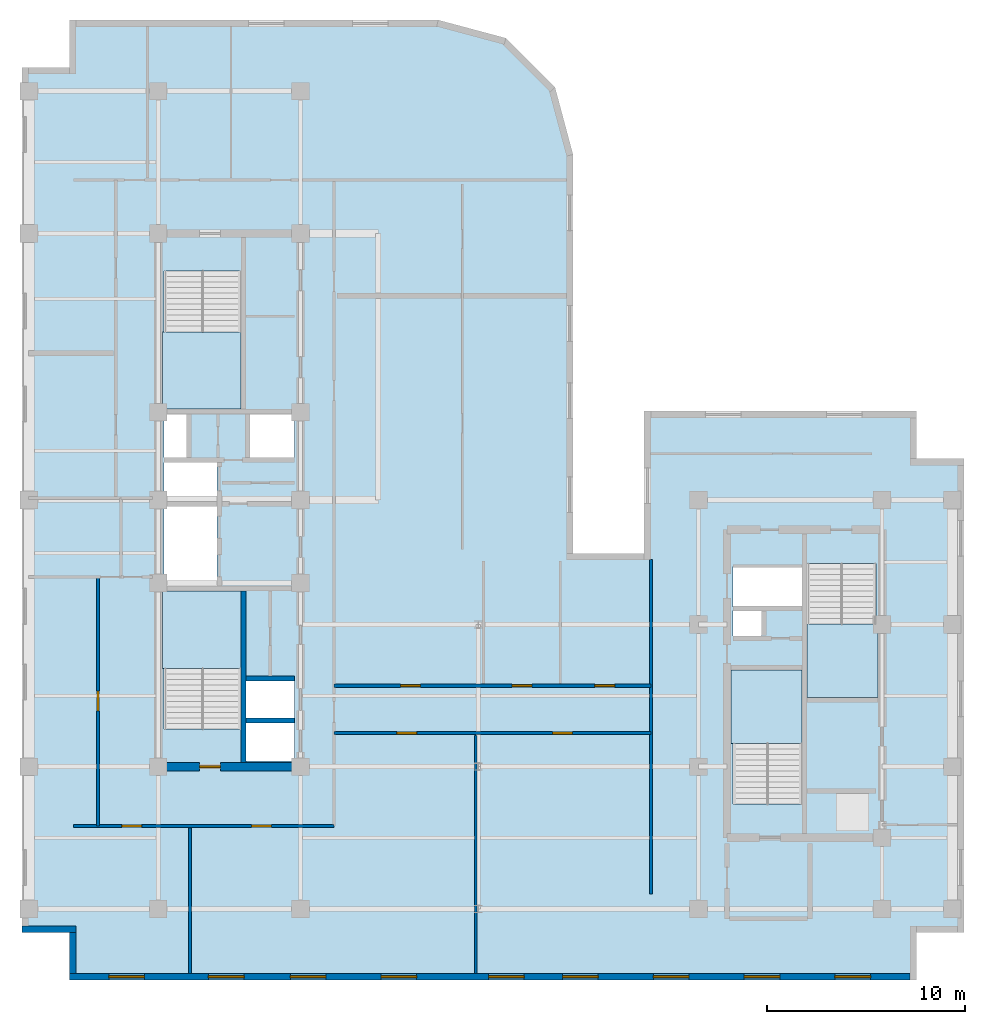
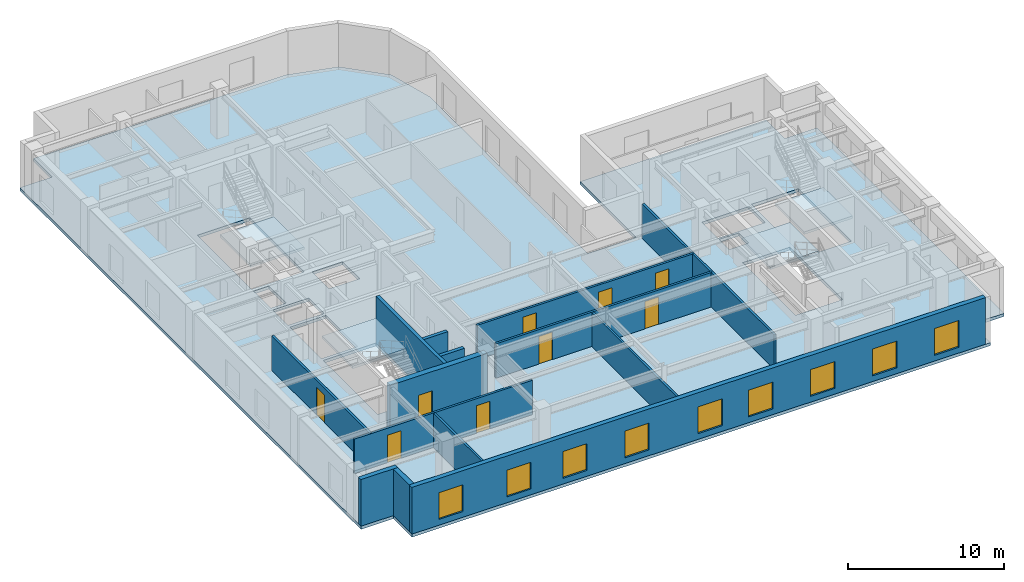
# One storey, part 3 of 11: 14 walls, 9 doors, 9 windows, 5 slabs, 18 openings, 4 elements without a shape of their own.
"""IFC4 building model written with IfcOpenShell, lengths in metres."""

from ifc_helpers import new_model, entity, si_unit, converted_unit, direction, frame, origin_with_axes, origin_2d_with_axis, place, context, subcontext, project, spatial, polyline, rectangle, outline, extrude, material, layer, layer_set, type_object, element, fill, aggregate, save


model = new_model("IFC4")

# Units and contexts
model_context = context("Model", 3, precision=1e-05, world=origin_with_axes(), true_north=direction((0.0, 1.0)))
body_context = subcontext(model_context, "Body", "Model", "MODEL_VIEW")
ifc_project = project(units=[si_unit("LENGTHUNIT", "METRE"), si_unit("AREAUNIT", "SQUARE_METRE"), si_unit("VOLUMEUNIT", "CUBIC_METRE"), converted_unit("PLANEANGLEUNIT", "DEGREE", entity("IfcPlaneAngleMeasure", 0.017453292519943295), si_unit("PLANEANGLEUNIT", "RADIAN"), dimensions=[0, 0, 0, 0, 0, 0, 0]), si_unit("MASSUNIT", "GRAM", prefix="KILO"), si_unit("THERMODYNAMICTEMPERATUREUNIT", "KELVIN")], contexts=[model_context])

# Site, building, storey
site_placement = place(None, origin_with_axes())
site = spatial("IfcSite", under=ifc_project, at=site_placement, CompositionType="ELEMENT")
building_placement = place(site_placement, origin_with_axes())
building = spatial("IfcBuilding", under=site, at=building_placement, Name="Varnlund Millrace Tower", CompositionType="ELEMENT")
storey_placement = place(building_placement, frame((0.0, 0.0, 224.7), z_axis=(0.0, 0.0, 1.0), x_axis=(1.0, 0.0, 0.0)))
storey = spatial("IfcBuildingStorey", under=building, at=storey_placement, Name="L55", CompositionType="ELEMENT", Elevation=224.7)

# Slab
ifc_material_1 = material(Name="Concrete C60/75", Category="concrete")
ifc_layer_1 = layer(ifc_material_1, 0.24, Name="Concrete C60/75")
ifc_layer_set_1 = layer_set([ifc_layer_1], Name="Concrete C60/75")
slab_type_1 = type_object("IfcSlabType", Name="Type-Deck-Plate-Typical-240", PredefinedType="FLOOR", material=ifc_layer_set_1)
slab_1_placement = place(storey_placement, frame((0.0, 0.0, -0.24), z_axis=(0.0, 0.0, 1.0), x_axis=(1.0, 0.0, 0.0)))
element("IfcSlab", 1, at=slab_1_placement, inside=storey, type_object=slab_type_1, Name="Type-Deck-Plate-Typical-240", PredefinedType="FLOOR", context=body_context, shape_type="SweptSolid", body=[
    extrude(outline(polyline([(32.4, 21.6), (32.4, 41.8), (31.489, 45.2), (29.0, 47.689), (25.6, 48.6), (6.9, 48.6), (6.9, 46.2), (4.5, 46.2), (4.5, 2.4), (6.9, 2.4), (6.9, 0.0), (49.8, 0.0), (49.8, 2.4), (52.2, 2.4), (52.2, 26.4), (49.8, 26.4), (49.8, 28.8), (36.0, 28.8), (36.0, 21.6), (32.4, 21.6)]), holes=[polyline([(18.3, 13.1), (18.3, 11.1), (15.84, 11.1), (15.84, 13.1), (18.3, 13.1)]), polyline([(15.6, 12.715), (11.7, 12.715), (11.7, 19.7), (15.6, 19.7), (15.6, 12.715)]), polyline([(11.7, 19.94), (11.7, 23.98), (14.38, 23.98), (14.38, 19.94), (11.7, 19.94)]), polyline([(14.38, 24.24), (11.7, 24.24), (11.7, 26.2), (14.38, 26.2), (14.38, 24.24)]), polyline([(12.84, 26.46), (11.7, 26.46), (11.7, 28.65), (12.84, 28.65), (12.84, 26.46)]), polyline([(15.6, 35.885), (15.6, 28.9), (11.7, 28.9), (11.7, 35.885), (15.6, 35.885)]), polyline([(44.0, 8.915), (40.5, 8.915), (40.5, 15.7), (44.0, 15.7), (44.0, 8.915)]), polyline([(18.3, 13.16), (15.84, 13.16), (15.84, 15.24), (18.3, 15.24), (18.3, 13.16)]), polyline([(47.75, 14.3), (44.25, 14.3), (44.25, 21.085), (47.75, 21.085), (47.75, 14.3)]), polyline([(41.95, 17.42), (40.5, 17.42), (40.5, 18.72), (41.95, 18.72), (41.95, 17.42)]), polyline([(44.0, 18.88), (40.5, 18.88), (40.5, 20.94), (44.0, 20.94), (44.0, 18.88)]), polyline([(18.3, 26.46), (16.04, 26.46), (16.04, 28.65), (18.3, 28.65), (18.3, 26.46)])]), origin_with_axes(), (0.0, 0.0, 1.0), 0.24),
])

# Stair, slab
ifc_material_2 = material(Name="Concrete C50/60", Category="concrete")
stair_type_1 = type_object("IfcStairType", Name="Type-Stair-Dogleg-185-390", PredefinedType="HALF_TURN_STAIR", material=ifc_material_2)
stair_1_placement = place(storey_placement, origin_with_axes())
stair_1 = element("IfcStair", 2, at=stair_1_placement, inside=storey, type_object=stair_type_1, Name="Type-Stair-Dogleg-185-390", PredefinedType="HALF_TURN_STAIR")
ifc_layer_2 = layer(ifc_material_2, 0.2, Name="Concrete C50/60")
ifc_layer_set_2 = layer_set([ifc_layer_2], Name="Concrete C50/60")
slab_type_2 = type_object("IfcSlabType", Name="Type-StairLanding-200", PredefinedType="LANDING", material=ifc_layer_set_2)
slab_2_placement = place(storey_placement, frame((0.0, 0.0, 1.75), z_axis=(0.0, 0.0, 1.0), x_axis=(1.0, 0.0, 0.0)))
slab_2 = element("IfcSlab", 3, at=slab_2_placement, type_object=slab_type_2, Name="ST-A1 landing 1", PredefinedType="LANDING", context=body_context, shape_type="SweptSolid", body=[
    extrude(outline(polyline([(15.6, 15.78), (15.6, 19.7), (11.61, 19.7), (11.61, 15.78), (15.6, 15.78)])), origin_with_axes(), (0.0, 0.0, 1.0), 0.2),
])
aggregate(stair_1, [slab_2])

stair_2_placement = place(storey_placement, origin_with_axes())
stair_2 = element("IfcStair", 4, at=stair_2_placement, inside=storey, type_object=stair_type_1, Name="Type-Stair-Dogleg-185-390", PredefinedType="HALF_TURN_STAIR")
slab_3_placement = place(storey_placement, frame((0.0, 0.0, 1.75), z_axis=(0.0, 0.0, 1.0), x_axis=(1.0, 0.0, 0.0)))
slab_3 = element("IfcSlab", 5, at=slab_3_placement, type_object=slab_type_2, Name="ST-A2 landing 1", PredefinedType="LANDING", context=body_context, shape_type="SweptSolid", body=[
    extrude(outline(polyline([(11.61, 32.82), (11.61, 28.9), (15.6, 28.9), (15.6, 32.82), (11.61, 32.82)])), origin_with_axes(), (0.0, 0.0, 1.0), 0.2),
])
aggregate(stair_2, [slab_3])

stair_type_2 = type_object("IfcStairType", Name="Type-Stair-Dogleg-165-390", PredefinedType="HALF_TURN_STAIR", material=ifc_material_2)
stair_3_placement = place(storey_placement, origin_with_axes())
stair_3 = element("IfcStair", 6, at=stair_3_placement, inside=storey, type_object=stair_type_2, Name="Type-Stair-Dogleg-165-390", PredefinedType="HALF_TURN_STAIR")
slab_4_placement = place(storey_placement, frame((0.0, 0.0, 1.75), z_axis=(0.0, 0.0, 1.0), x_axis=(1.0, 0.0, 0.0)))
slab_4 = element("IfcSlab", 7, at=slab_4_placement, type_object=slab_type_2, Name="ST-B1 landing 1", PredefinedType="LANDING", context=body_context, shape_type="SweptSolid", body=[
    extrude(outline(polyline([(44.0, 11.98), (44.0, 15.7), (40.41, 15.7), (40.41, 11.98), (44.0, 11.98)])), origin_with_axes(), (0.0, 0.0, 1.0), 0.2),
])
aggregate(stair_3, [slab_4])

stair_4_placement = place(storey_placement, origin_with_axes())
stair_4 = element("IfcStair", 8, at=stair_4_placement, inside=storey, type_object=stair_type_2, Name="Type-Stair-Dogleg-165-390", PredefinedType="HALF_TURN_STAIR")
slab_5_placement = place(storey_placement, frame((0.0, 0.0, 1.75), z_axis=(0.0, 0.0, 1.0), x_axis=(1.0, 0.0, 0.0)))
slab_5 = element("IfcSlab", 9, at=slab_5_placement, type_object=slab_type_2, Name="ST-B2 landing 1", PredefinedType="LANDING", context=body_context, shape_type="SweptSolid", body=[
    extrude(outline(polyline([(44.25, 18.02), (44.25, 14.3), (47.84, 14.3), (47.84, 18.02), (44.25, 18.02)])), origin_with_axes(), (0.0, 0.0, 1.0), 0.2),
])
aggregate(stair_4, [slab_5])

# Wall, opening, door
ifc_layer_3 = layer(ifc_material_1, 0.42, Name="Concrete C60/75")
ifc_layer_set_3 = layer_set([ifc_layer_3], Name="Concrete C60/75")
wall_type_1 = type_object("IfcWallType", Name="Type-CoreWall-Shear-420-C60", PredefinedType="SHEAR", material=ifc_layer_set_3)
wall_1_placement = place(storey_placement, frame((11.4, 10.8, 0.0), z_axis=(0.0, 0.0, 1.0), x_axis=(1.0, 0.0, 0.0)))
wall_1 = element("IfcWall", 10, at=wall_1_placement, inside=storey, type_object=wall_type_1, Name="Type-CoreWall-Shear-420-C60", PredefinedType="SHEAR", context=body_context, shape_type="SweptSolid", body=[
    extrude(outline(polyline([(0.0, -0.21), (7.2, -0.21), (7.2, 0.21), (0.0, 0.21), (0.0, -0.21)])), origin_with_axes(), (0.0, 0.0, 1.0), 3.66),
])
opening_1_placement = place(wall_1_placement, frame((2.625, 0.0, 0.0), z_axis=(0.0, 0.0, 1.0), x_axis=(1.0, 0.0, 0.0)))
opening_1 = element("IfcOpeningElement", 11, at=opening_1_placement, cuts=wall_1, Name="Opening L55:DR-STA1", PredefinedType="OPENING", context=body_context, shape_type="SweptSolid", body=[
    extrude(rectangle(XDim=1.05, YDim=0.44, at=origin_2d_with_axis()), origin_with_axes(), (0.0, 0.0, 1.0), 2.15),
])
ifc_material_3 = material(Name="Fire-rated hollow steel door", Category="steel")
door_type_1 = type_object("IfcDoorType", Name="Type-FireDoor-Stair-1050X2150", OperationType="NOTDEFINED", PredefinedType="DOOR", material=ifc_material_3)
door_1_placement = place(wall_1_placement, frame((2.625, 0.0, 0.0), z_axis=(0.0, 0.0, 1.0), x_axis=(1.0, 0.0, 0.0)))
door_1 = element("IfcDoor", 12, at=door_1_placement, inside=storey, type_object=door_type_1, Name="Type-FireDoor-Stair-1050X2150", OperationType="SINGLE_SWING_LEFT", OverallHeight=2.15, OverallWidth=1.05, PredefinedType="DOOR", context=body_context, shape_type="SweptSolid", body=[
    extrude(rectangle(XDim=1.05, YDim=0.09, at=origin_2d_with_axis()), origin_with_axes(), (0.0, 0.0, 1.0), 2.15),
])
fill(opening_1, door_1)

# Wall, openings, windows
ifc_material_4 = material(Name="Precast concrete C50/60", Category="concrete")
ifc_layer_4 = layer(ifc_material_4, 0.34, Name="Precast concrete C50/60")
ifc_layer_set_4 = layer_set([ifc_layer_4], Name="Precast concrete C50/60")
wall_type_2 = type_object("IfcWallType", Name="Type-ExtWall-Precast-Upper-340", PredefinedType="SOLIDWALL", material=ifc_layer_set_4)
wall_2_placement = place(storey_placement, frame((49.46, 0.17, 0.0), z_axis=(0.0, 0.0, 1.0), x_axis=(-1.0, 0.0, 0.0)))
wall_2 = element("IfcWall", 13, at=wall_2_placement, inside=storey, type_object=wall_type_2, Name="Type-ExtWall-Precast-Upper-340", PredefinedType="SOLIDWALL", context=body_context, shape_type="SweptSolid", body=[
    extrude(outline(polyline([(0.0, -0.17), (42.56, -0.17), (42.56, 0.17), (0.0, 0.17), (0.0, -0.17)])), origin_with_axes(), (0.0, 0.0, 1.0), 3.66),
])
opening_2_placement = place(wall_2_placement, frame((2.898, 0.0, 0.45), z_axis=(0.0, 0.0, 1.0), x_axis=(1.0, 0.0, 0.0)))
opening_2 = element("IfcOpeningElement", 14, at=opening_2_placement, cuts=wall_2, Name="Opening L55:WN-07", PredefinedType="OPENING", context=body_context, shape_type="SweptSolid", body=[
    extrude(rectangle(XDim=1.8, YDim=0.36, at=origin_2d_with_axis()), origin_with_axes(), (0.0, 0.0, 1.0), 2.1),
])
opening_3_placement = place(wall_2_placement, frame((7.493, 0.0, 0.45), z_axis=(0.0, 0.0, 1.0), x_axis=(1.0, 0.0, 0.0)))
opening_3 = element("IfcOpeningElement", 15, at=opening_3_placement, cuts=wall_2, Name="Opening L55:WN-08", PredefinedType="OPENING", context=body_context, shape_type="SweptSolid", body=[
    extrude(rectangle(XDim=1.8, YDim=0.36, at=origin_2d_with_axis()), origin_with_axes(), (0.0, 0.0, 1.0), 2.1),
])
opening_4_placement = place(wall_2_placement, frame((12.089, 0.0, 0.45), z_axis=(0.0, 0.0, 1.0), x_axis=(1.0, 0.0, 0.0)))
opening_4 = element("IfcOpeningElement", 16, at=opening_4_placement, cuts=wall_2, Name="Opening L55:WN-09", PredefinedType="OPENING", context=body_context, shape_type="SweptSolid", body=[
    extrude(rectangle(XDim=1.8, YDim=0.36, at=origin_2d_with_axis()), origin_with_axes(), (0.0, 0.0, 1.0), 2.1),
])
opening_5_placement = place(wall_2_placement, frame((16.684, 0.0, 0.45), z_axis=(0.0, 0.0, 1.0), x_axis=(1.0, 0.0, 0.0)))
opening_5 = element("IfcOpeningElement", 17, at=opening_5_placement, cuts=wall_2, Name="Opening L55:WN-10", PredefinedType="OPENING", context=body_context, shape_type="SweptSolid", body=[
    extrude(rectangle(XDim=1.8, YDim=0.36, at=origin_2d_with_axis()), origin_with_axes(), (0.0, 0.0, 1.0), 2.1),
])
opening_6_placement = place(wall_2_placement, frame((20.43, 0.0, 0.45), z_axis=(0.0, 0.0, 1.0), x_axis=(1.0, 0.0, 0.0)))
opening_6 = element("IfcOpeningElement", 18, at=opening_6_placement, cuts=wall_2, Name="Opening L55:WN-11", PredefinedType="OPENING", context=body_context, shape_type="SweptSolid", body=[
    extrude(rectangle(XDim=1.8, YDim=0.36, at=origin_2d_with_axis()), origin_with_axes(), (0.0, 0.0, 1.0), 2.1),
])
opening_7_placement = place(wall_2_placement, frame((25.876, 0.0, 0.45), z_axis=(0.0, 0.0, 1.0), x_axis=(1.0, 0.0, 0.0)))
opening_7 = element("IfcOpeningElement", 19, at=opening_7_placement, cuts=wall_2, Name="Opening L55:WN-12", PredefinedType="OPENING", context=body_context, shape_type="SweptSolid", body=[
    extrude(rectangle(XDim=1.8, YDim=0.36, at=origin_2d_with_axis()), origin_with_axes(), (0.0, 0.0, 1.0), 2.1),
])
opening_8_placement = place(wall_2_placement, frame((30.471, 0.0, 0.45), z_axis=(0.0, 0.0, 1.0), x_axis=(1.0, 0.0, 0.0)))
opening_8 = element("IfcOpeningElement", 20, at=opening_8_placement, cuts=wall_2, Name="Opening L55:WN-13", PredefinedType="OPENING", context=body_context, shape_type="SweptSolid", body=[
    extrude(rectangle(XDim=1.8, YDim=0.36, at=origin_2d_with_axis()), origin_with_axes(), (0.0, 0.0, 1.0), 2.1),
])
opening_9_placement = place(wall_2_placement, frame((34.617, 0.0, 0.45), z_axis=(0.0, 0.0, 1.0), x_axis=(1.0, 0.0, 0.0)))
opening_9 = element("IfcOpeningElement", 21, at=opening_9_placement, cuts=wall_2, Name="Opening L55:WN-14", PredefinedType="OPENING", context=body_context, shape_type="SweptSolid", body=[
    extrude(rectangle(XDim=1.8, YDim=0.36, at=origin_2d_with_axis()), origin_with_axes(), (0.0, 0.0, 1.0), 2.1),
])
opening_10_placement = place(wall_2_placement, frame((39.662, 0.0, 0.45), z_axis=(0.0, 0.0, 1.0), x_axis=(1.0, 0.0, 0.0)))
opening_10 = element("IfcOpeningElement", 22, at=opening_10_placement, cuts=wall_2, Name="Opening L55:WN-15", PredefinedType="OPENING", context=body_context, shape_type="SweptSolid", body=[
    extrude(rectangle(XDim=1.8, YDim=0.36, at=origin_2d_with_axis()), origin_with_axes(), (0.0, 0.0, 1.0), 2.1),
])
ifc_material_5 = material(Name="Argon low-e triple glazing in thermally broken bronze frame", Category="glass")
window_type = type_object("IfcWindowType", Name="Type-Window-Punched-1800X2100", PartitioningType="SINGLE_PANEL", PredefinedType="WINDOW", material=ifc_material_5)
window_1_placement = place(wall_2_placement, frame((2.898, 0.0, 0.45), z_axis=(0.0, 0.0, 1.0), x_axis=(1.0, 0.0, 0.0)))
window_1 = element("IfcWindow", 23, at=window_1_placement, inside=storey, type_object=window_type, Name="Type-Window-Punched-1800X2100", OverallHeight=2.1, OverallWidth=1.8, PredefinedType="WINDOW", context=body_context, shape_type="SweptSolid", body=[
    extrude(rectangle(XDim=1.8, YDim=0.09, at=origin_2d_with_axis()), origin_with_axes(), (0.0, 0.0, 1.0), 2.1),
])
fill(opening_2, window_1)
window_2_placement = place(wall_2_placement, frame((7.493, 0.0, 0.45), z_axis=(0.0, 0.0, 1.0), x_axis=(1.0, 0.0, 0.0)))
window_2 = element("IfcWindow", 24, at=window_2_placement, inside=storey, type_object=window_type, Name="Type-Window-Punched-1800X2100", OverallHeight=2.1, OverallWidth=1.8, PredefinedType="WINDOW", context=body_context, shape_type="SweptSolid", body=[
    extrude(rectangle(XDim=1.8, YDim=0.09, at=origin_2d_with_axis()), origin_with_axes(), (0.0, 0.0, 1.0), 2.1),
])
fill(opening_3, window_2)
window_3_placement = place(wall_2_placement, frame((12.089, 0.0, 0.45), z_axis=(0.0, 0.0, 1.0), x_axis=(1.0, 0.0, 0.0)))
window_3 = element("IfcWindow", 25, at=window_3_placement, inside=storey, type_object=window_type, Name="Type-Window-Punched-1800X2100", OverallHeight=2.1, OverallWidth=1.8, PredefinedType="WINDOW", context=body_context, shape_type="SweptSolid", body=[
    extrude(rectangle(XDim=1.8, YDim=0.09, at=origin_2d_with_axis()), origin_with_axes(), (0.0, 0.0, 1.0), 2.1),
])
fill(opening_4, window_3)
window_4_placement = place(wall_2_placement, frame((16.684, 0.0, 0.45), z_axis=(0.0, 0.0, 1.0), x_axis=(1.0, 0.0, 0.0)))
window_4 = element("IfcWindow", 26, at=window_4_placement, inside=storey, type_object=window_type, Name="Type-Window-Punched-1800X2100", OverallHeight=2.1, OverallWidth=1.8, PredefinedType="WINDOW", context=body_context, shape_type="SweptSolid", body=[
    extrude(rectangle(XDim=1.8, YDim=0.09, at=origin_2d_with_axis()), origin_with_axes(), (0.0, 0.0, 1.0), 2.1),
])
fill(opening_5, window_4)
window_5_placement = place(wall_2_placement, frame((20.43, 0.0, 0.45), z_axis=(0.0, 0.0, 1.0), x_axis=(1.0, 0.0, 0.0)))
window_5 = element("IfcWindow", 27, at=window_5_placement, inside=storey, type_object=window_type, Name="Type-Window-Punched-1800X2100", OverallHeight=2.1, OverallWidth=1.8, PredefinedType="WINDOW", context=body_context, shape_type="SweptSolid", body=[
    extrude(rectangle(XDim=1.8, YDim=0.09, at=origin_2d_with_axis()), origin_with_axes(), (0.0, 0.0, 1.0), 2.1),
])
fill(opening_6, window_5)
window_6_placement = place(wall_2_placement, frame((25.876, 0.0, 0.45), z_axis=(0.0, 0.0, 1.0), x_axis=(1.0, 0.0, 0.0)))
window_6 = element("IfcWindow", 28, at=window_6_placement, inside=storey, type_object=window_type, Name="Type-Window-Punched-1800X2100", OverallHeight=2.1, OverallWidth=1.8, PredefinedType="WINDOW", context=body_context, shape_type="SweptSolid", body=[
    extrude(rectangle(XDim=1.8, YDim=0.09, at=origin_2d_with_axis()), origin_with_axes(), (0.0, 0.0, 1.0), 2.1),
])
fill(opening_7, window_6)
window_7_placement = place(wall_2_placement, frame((30.471, 0.0, 0.45), z_axis=(0.0, 0.0, 1.0), x_axis=(1.0, 0.0, 0.0)))
window_7 = element("IfcWindow", 29, at=window_7_placement, inside=storey, type_object=window_type, Name="Type-Window-Punched-1800X2100", OverallHeight=2.1, OverallWidth=1.8, PredefinedType="WINDOW", context=body_context, shape_type="SweptSolid", body=[
    extrude(rectangle(XDim=1.8, YDim=0.09, at=origin_2d_with_axis()), origin_with_axes(), (0.0, 0.0, 1.0), 2.1),
])
fill(opening_8, window_7)
window_8_placement = place(wall_2_placement, frame((34.617, 0.0, 0.45), z_axis=(0.0, 0.0, 1.0), x_axis=(1.0, 0.0, 0.0)))
window_8 = element("IfcWindow", 30, at=window_8_placement, inside=storey, type_object=window_type, Name="Type-Window-Punched-1800X2100", OverallHeight=2.1, OverallWidth=1.8, PredefinedType="WINDOW", context=body_context, shape_type="SweptSolid", body=[
    extrude(rectangle(XDim=1.8, YDim=0.09, at=origin_2d_with_axis()), origin_with_axes(), (0.0, 0.0, 1.0), 2.1),
])
fill(opening_9, window_8)
window_9_placement = place(wall_2_placement, frame((39.662, 0.0, 0.45), z_axis=(0.0, 0.0, 1.0), x_axis=(1.0, 0.0, 0.0)))
window_9 = element("IfcWindow", 31, at=window_9_placement, inside=storey, type_object=window_type, Name="Type-Window-Punched-1800X2100", OverallHeight=2.1, OverallWidth=1.8, PredefinedType="WINDOW", context=body_context, shape_type="SweptSolid", body=[
    extrude(rectangle(XDim=1.8, YDim=0.09, at=origin_2d_with_axis()), origin_with_axes(), (0.0, 0.0, 1.0), 2.1),
])
fill(opening_10, window_9)

# Walls
wall_3_placement = place(storey_placement, frame((7.07, 0.34, 0.0), z_axis=(0.0, 0.0, 1.0), x_axis=(0.0, 1.0, 0.0)))
element("IfcWall", 32, at=wall_3_placement, inside=storey, type_object=wall_type_2, Name="Type-ExtWall-Precast-Upper-340", PredefinedType="SOLIDWALL", context=body_context, shape_type="SweptSolid", body=[
    extrude(outline(polyline([(0.0, -0.17), (2.06, -0.17), (2.06, 0.17), (0.0, 0.17), (0.0, -0.17)])), origin_with_axes(), (0.0, 0.0, 1.0), 3.66),
])
wall_4_placement = place(storey_placement, frame((7.24, 2.57, 0.0), z_axis=(0.0, 0.0, 1.0), x_axis=(-1.0, 0.0, 0.0)))
element("IfcWall", 33, at=wall_4_placement, inside=storey, type_object=wall_type_2, Name="Type-ExtWall-Precast-Upper-340", PredefinedType="SOLIDWALL", context=body_context, shape_type="SweptSolid", body=[
    extrude(outline(polyline([(0.0, -0.17), (2.74, -0.17), (2.74, 0.17), (0.0, 0.17), (0.0, -0.17)])), origin_with_axes(), (0.0, 0.0, 1.0), 3.66),
])

# Wall, openings, doors
ifc_material_6 = material(Name="Fire-rated gypsum board on cold-formed steel framing", Category="steel")
ifc_layer_5 = layer(ifc_material_6, 0.16, Name="Fire-rated gypsum board on cold-formed steel framing")
ifc_layer_set_5 = layer_set([ifc_layer_5], Name="Fire-rated gypsum board on cold-formed steel framing")
wall_type_3 = type_object("IfcWallType", Name="Type-Partition-Corridor-160", PredefinedType="PARTITIONING", material=ifc_layer_set_5)
wall_5_placement = place(storey_placement, frame((7.1, 7.8, 0.0), z_axis=(0.0, 0.0, 1.0), x_axis=(1.0, 0.0, 0.0)))
wall_5 = element("IfcWall", 34, at=wall_5_placement, inside=storey, type_object=wall_type_3, Name="Type-Partition-Corridor-160", PredefinedType="PARTITIONING", context=body_context, shape_type="SweptSolid", body=[
    extrude(outline(polyline([(0.0, -0.08), (13.2, -0.08), (13.2, 0.08), (0.0, 0.08), (0.0, -0.08)])), origin_with_axes(), (0.0, 0.0, 1.0), 2.7),
])
opening_11_placement = place(wall_5_placement, frame((2.9535, 0.0, 0.0), z_axis=(0.0, 0.0, 1.0), x_axis=(1.0, 0.0, 0.0)))
opening_11 = element("IfcOpeningElement", 35, at=opening_11_placement, cuts=wall_5, Name="Opening L55:DR-WAS-01", PredefinedType="OPENING", context=body_context, shape_type="SweptSolid", body=[
    extrude(rectangle(XDim=1.0, YDim=0.18, at=origin_2d_with_axis()), origin_with_axes(), (0.0, 0.0, 1.0), 2.15),
])
opening_12_placement = place(wall_5_placement, frame((9.5335, 0.0, 0.0), z_axis=(0.0, 0.0, 1.0), x_axis=(1.0, 0.0, 0.0)))
opening_12 = element("IfcOpeningElement", 36, at=opening_12_placement, cuts=wall_5, Name="Opening L55:DR-WAS-02", PredefinedType="OPENING", context=body_context, shape_type="SweptSolid", body=[
    extrude(rectangle(XDim=1.0, YDim=0.18, at=origin_2d_with_axis()), origin_with_axes(), (0.0, 0.0, 1.0), 2.15),
])
ifc_material_7 = material(Name="Solid-core white oak and bronze frame door")
door_type_2 = type_object("IfcDoorType", Name="Type-IntDoor-Office-1000X2150", OperationType="NOTDEFINED", PredefinedType="DOOR", material=ifc_material_7)
door_2_placement = place(wall_5_placement, frame((2.9535, 0.0, 0.0), z_axis=(0.0, 0.0, 1.0), x_axis=(1.0, 0.0, 0.0)))
door_2 = element("IfcDoor", 37, at=door_2_placement, inside=storey, type_object=door_type_2, Name="Type-IntDoor-Office-1000X2150", OperationType="SINGLE_SWING_LEFT", OverallHeight=2.15, OverallWidth=1.0, PredefinedType="DOOR", context=body_context, shape_type="SweptSolid", body=[
    extrude(rectangle(XDim=1.0, YDim=0.09, at=origin_2d_with_axis()), origin_with_axes(), (0.0, 0.0, 1.0), 2.15),
])
fill(opening_11, door_2)
door_3_placement = place(wall_5_placement, frame((9.5335, 0.0, 0.0), z_axis=(0.0, 0.0, 1.0), x_axis=(1.0, 0.0, 0.0)))
door_3 = element("IfcDoor", 38, at=door_3_placement, inside=storey, type_object=door_type_2, Name="Type-IntDoor-Office-1000X2150", OperationType="SINGLE_SWING_RIGHT", OverallHeight=2.15, OverallWidth=1.0, PredefinedType="DOOR", context=body_context, shape_type="SweptSolid", body=[
    extrude(rectangle(XDim=1.0, YDim=0.09, at=origin_2d_with_axis()), origin_with_axes(), (0.0, 0.0, 1.0), 2.15),
])
fill(opening_12, door_3)

# Wall, opening, door
wall_6_placement = place(storey_placement, frame((8.35, 7.8, 0.0), z_axis=(0.0, 0.0, 1.0), x_axis=(0.0, 1.0, 0.0)))
wall_6 = element("IfcWall", 39, at=wall_6_placement, inside=storey, type_object=wall_type_3, Name="Type-Partition-Corridor-160", PredefinedType="PARTITIONING", context=body_context, shape_type="SweptSolid", body=[
    extrude(outline(polyline([(0.0, -0.08), (12.6, -0.08), (12.6, 0.08), (0.0, 0.08), (0.0, -0.08)])), origin_with_axes(), (0.0, 0.0, 1.0), 2.7),
])
opening_13_placement = place(wall_6_placement, frame((6.325, 0.0, 0.0), z_axis=(0.0, 0.0, 1.0), x_axis=(1.0, 0.0, 0.0)))
opening_13 = element("IfcOpeningElement", 40, at=opening_13_placement, cuts=wall_6, Name="Opening L55:DR-WS-01", PredefinedType="OPENING", context=body_context, shape_type="SweptSolid", body=[
    extrude(rectangle(XDim=1.0, YDim=0.18, at=origin_2d_with_axis()), origin_with_axes(), (0.0, 0.0, 1.0), 2.15),
])
door_4_placement = place(wall_6_placement, frame((6.325, 0.0, 0.0), z_axis=(0.0, 0.0, 1.0), x_axis=(1.0, 0.0, 0.0)))
door_4 = element("IfcDoor", 41, at=door_4_placement, inside=storey, type_object=door_type_2, Name="Type-IntDoor-Office-1000X2150", OperationType="SINGLE_SWING_LEFT", OverallHeight=2.15, OverallWidth=1.0, PredefinedType="DOOR", context=body_context, shape_type="SweptSolid", body=[
    extrude(rectangle(XDim=1.0, YDim=0.09, at=origin_2d_with_axis()), origin_with_axes(), (0.0, 0.0, 1.0), 2.15),
])
fill(opening_13, door_4)

# Wall, openings, doors
wall_7_placement = place(storey_placement, frame((20.3, 12.5, 0.0), z_axis=(0.0, 0.0, 1.0), x_axis=(1.0, 0.0, 0.0)))
wall_7 = element("IfcWall", 42, at=wall_7_placement, inside=storey, type_object=wall_type_3, Name="Type-Partition-Corridor-160", PredefinedType="PARTITIONING", context=body_context, shape_type="SweptSolid", body=[
    extrude(outline(polyline([(0.0, -0.08), (16.05, -0.08), (16.05, 0.08), (0.0, 0.08), (0.0, -0.08)])), origin_with_axes(), (0.0, 0.0, 1.0), 2.7),
])
opening_14_placement = place(wall_7_placement, frame((3.677, 0.0, 0.0), z_axis=(0.0, 0.0, 1.0), x_axis=(1.0, 0.0, 0.0)))
opening_14 = element("IfcOpeningElement", 43, at=opening_14_placement, cuts=wall_7, Name="Opening L55:DR-KNS-01", PredefinedType="OPENING", context=body_context, shape_type="SweptSolid", body=[
    extrude(rectangle(XDim=1.0, YDim=0.18, at=origin_2d_with_axis()), origin_with_axes(), (0.0, 0.0, 1.0), 2.15),
])
opening_15_placement = place(wall_7_placement, frame((11.572, 0.0, 0.0), z_axis=(0.0, 0.0, 1.0), x_axis=(1.0, 0.0, 0.0)))
opening_15 = element("IfcOpeningElement", 44, at=opening_15_placement, cuts=wall_7, Name="Opening L55:DR-KNS-02", PredefinedType="OPENING", context=body_context, shape_type="SweptSolid", body=[
    extrude(rectangle(XDim=1.0, YDim=0.18, at=origin_2d_with_axis()), origin_with_axes(), (0.0, 0.0, 1.0), 2.15),
])
door_5_placement = place(wall_7_placement, frame((3.677, 0.0, 0.0), z_axis=(0.0, 0.0, 1.0), x_axis=(1.0, 0.0, 0.0)))
door_5 = element("IfcDoor", 45, at=door_5_placement, inside=storey, type_object=door_type_2, Name="Type-IntDoor-Office-1000X2150", OperationType="SINGLE_SWING_LEFT", OverallHeight=2.15, OverallWidth=1.0, PredefinedType="DOOR", context=body_context, shape_type="SweptSolid", body=[
    extrude(rectangle(XDim=1.0, YDim=0.09, at=origin_2d_with_axis()), origin_with_axes(), (0.0, 0.0, 1.0), 2.15),
])
fill(opening_14, door_5)
door_6_placement = place(wall_7_placement, frame((11.572, 0.0, 0.0), z_axis=(0.0, 0.0, 1.0), x_axis=(1.0, 0.0, 0.0)))
door_6 = element("IfcDoor", 46, at=door_6_placement, inside=storey, type_object=door_type_2, Name="Type-IntDoor-Office-1000X2150", OperationType="SINGLE_SWING_RIGHT", OverallHeight=2.15, OverallWidth=1.0, PredefinedType="DOOR", context=body_context, shape_type="SweptSolid", body=[
    extrude(rectangle(XDim=1.0, YDim=0.09, at=origin_2d_with_axis()), origin_with_axes(), (0.0, 0.0, 1.0), 2.15),
])
fill(opening_15, door_6)

wall_8_placement = place(storey_placement, frame((20.3, 14.9, 0.0), z_axis=(0.0, 0.0, 1.0), x_axis=(1.0, 0.0, 0.0)))
wall_8 = element("IfcWall", 47, at=wall_8_placement, inside=storey, type_object=wall_type_3, Name="Type-Partition-Corridor-160", PredefinedType="PARTITIONING", context=body_context, shape_type="SweptSolid", body=[
    extrude(outline(polyline([(0.0, -0.08), (16.05, -0.08), (16.05, 0.08), (0.0, 0.08), (0.0, -0.08)])), origin_with_axes(), (0.0, 0.0, 1.0), 2.7),
])
opening_16_placement = place(wall_8_placement, frame((3.8765, 0.0, 0.0), z_axis=(0.0, 0.0, 1.0), x_axis=(1.0, 0.0, 0.0)))
opening_16 = element("IfcOpeningElement", 48, at=opening_16_placement, cuts=wall_8, Name="Opening L55:DR-KN-01", PredefinedType="OPENING", context=body_context, shape_type="SweptSolid", body=[
    extrude(rectangle(XDim=1.0, YDim=0.18, at=origin_2d_with_axis()), origin_with_axes(), (0.0, 0.0, 1.0), 2.15),
])
opening_17_placement = place(wall_8_placement, frame((9.5105, 0.0, 0.0), z_axis=(0.0, 0.0, 1.0), x_axis=(1.0, 0.0, 0.0)))
opening_17 = element("IfcOpeningElement", 49, at=opening_17_placement, cuts=wall_8, Name="Opening L55:DR-KN-02", PredefinedType="OPENING", context=body_context, shape_type="SweptSolid", body=[
    extrude(rectangle(XDim=1.0, YDim=0.18, at=origin_2d_with_axis()), origin_with_axes(), (0.0, 0.0, 1.0), 2.15),
])
opening_18_placement = place(wall_8_placement, frame((13.709, 0.0, 0.0), z_axis=(0.0, 0.0, 1.0), x_axis=(1.0, 0.0, 0.0)))
opening_18 = element("IfcOpeningElement", 50, at=opening_18_placement, cuts=wall_8, Name="Opening L55:DR-KN-03", PredefinedType="OPENING", context=body_context, shape_type="SweptSolid", body=[
    extrude(rectangle(XDim=1.0, YDim=0.18, at=origin_2d_with_axis()), origin_with_axes(), (0.0, 0.0, 1.0), 2.15),
])
door_7_placement = place(wall_8_placement, frame((3.8765, 0.0, 0.0), z_axis=(0.0, 0.0, 1.0), x_axis=(1.0, 0.0, 0.0)))
door_7 = element("IfcDoor", 51, at=door_7_placement, inside=storey, type_object=door_type_2, Name="Type-IntDoor-Office-1000X2150", OperationType="SINGLE_SWING_LEFT", OverallHeight=2.15, OverallWidth=1.0, PredefinedType="DOOR", context=body_context, shape_type="SweptSolid", body=[
    extrude(rectangle(XDim=1.0, YDim=0.09, at=origin_2d_with_axis()), origin_with_axes(), (0.0, 0.0, 1.0), 2.15),
])
fill(opening_16, door_7)
door_8_placement = place(wall_8_placement, frame((9.5105, 0.0, 0.0), z_axis=(0.0, 0.0, 1.0), x_axis=(1.0, 0.0, 0.0)))
door_8 = element("IfcDoor", 52, at=door_8_placement, inside=storey, type_object=door_type_2, Name="Type-IntDoor-Office-1000X2150", OperationType="SINGLE_SWING_RIGHT", OverallHeight=2.15, OverallWidth=1.0, PredefinedType="DOOR", context=body_context, shape_type="SweptSolid", body=[
    extrude(rectangle(XDim=1.0, YDim=0.09, at=origin_2d_with_axis()), origin_with_axes(), (0.0, 0.0, 1.0), 2.15),
])
fill(opening_17, door_8)
door_9_placement = place(wall_8_placement, frame((13.709, 0.0, 0.0), z_axis=(0.0, 0.0, 1.0), x_axis=(1.0, 0.0, 0.0)))
door_9 = element("IfcDoor", 53, at=door_9_placement, inside=storey, type_object=door_type_2, Name="Type-IntDoor-Office-1000X2150", OperationType="SINGLE_SWING_LEFT", OverallHeight=2.15, OverallWidth=1.0, PredefinedType="DOOR", context=body_context, shape_type="SweptSolid", body=[
    extrude(rectangle(XDim=1.0, YDim=0.09, at=origin_2d_with_axis()), origin_with_axes(), (0.0, 0.0, 1.0), 2.15),
])
fill(opening_18, door_9)

# Walls
wall_9_placement = place(storey_placement, frame((36.35, 4.35, 0.0), z_axis=(0.0, 0.0, 1.0), x_axis=(0.0, 1.0, 0.0)))
element("IfcWall", 54, at=wall_9_placement, inside=storey, type_object=wall_type_3, Name="Type-Partition-Corridor-160", PredefinedType="PARTITIONING", context=body_context, shape_type="SweptSolid", body=[
    extrude(outline(polyline([(0.0, -0.08), (16.95, -0.08), (16.95, 0.08), (0.0, 0.08), (0.0, -0.08)])), origin_with_axes(), (0.0, 0.0, 1.0), 2.7),
])
ifc_material_8 = material(Name="Acoustic STC-50 gypsum board partition", Category="gypsum")
ifc_layer_6 = layer(ifc_material_8, 0.15, Name="Acoustic STC-50 gypsum board partition")
ifc_layer_set_6 = layer_set([ifc_layer_6], Name="Acoustic STC-50 gypsum board partition")
wall_type_4 = type_object("IfcWallType", Name="Type-Partition-Demising-150", PredefinedType="PARTITIONING", material=ifc_layer_set_6)
wall_10_placement = place(storey_placement, frame((13.017, 0.335, 0.0), z_axis=(0.0, 0.0, 1.0), x_axis=(0.0, 1.0, 0.0)))
element("IfcWall", 55, at=wall_10_placement, inside=storey, type_object=wall_type_4, Name="Type-Partition-Demising-150", PredefinedType="PARTITIONING", context=body_context, shape_type="SweptSolid", body=[
    extrude(outline(polyline([(0.0, -0.075), (7.365, -0.075), (7.365, 0.075), (0.0, 0.075), (0.0, -0.075)])), origin_with_axes(), (0.0, 0.0, 1.0), 2.7),
])
wall_11_placement = place(storey_placement, frame((27.474, 0.335, 0.0), z_axis=(0.0, 0.0, 1.0), x_axis=(0.0, 1.0, 0.0)))
element("IfcWall", 56, at=wall_11_placement, inside=storey, type_object=wall_type_4, Name="Type-Partition-Demising-150", PredefinedType="PARTITIONING", context=body_context, shape_type="SweptSolid", body=[
    extrude(outline(polyline([(0.0, -0.075), (12.045, -0.075), (12.045, 0.075), (0.0, 0.075), (0.0, -0.075)])), origin_with_axes(), (0.0, 0.0, 1.0), 2.7),
])
ifc_layer_7 = layer(ifc_material_1, 0.25, Name="Concrete C60/75")
ifc_layer_set_7 = layer_set([ifc_layer_7], Name="Concrete C60/75")
wall_type_5 = type_object("IfcWallType", Name="Type-ShaftWall-Fire-250", PredefinedType="SOLIDWALL", material=ifc_layer_set_7)
for number, where, z_axis, x_axis, name in (
    (57, (15.84, 13.13, 0.0), (0.0, 0.0, 1.0), (1.0, 0.0, 0.0), "Type-ShaftWall-Fire-250"),
    (58, (15.84, 15.27, 0.0), (0.0, 0.0, 1.0), (1.0, 0.0, 0.0), "Type-ShaftWall-Fire-250"),
):
    element("IfcWall", number, at=place(storey_placement, frame(where, z_axis=z_axis, x_axis=x_axis)), inside=storey, type_object=wall_type_5, Name=name, PredefinedType="SOLIDWALL", context=body_context, shape_type="SweptSolid", body=[
        extrude(outline(polyline([(0.0, -0.125), (2.46, -0.125), (2.46, 0.125), (0.0, 0.125), (0.0, -0.125)])), origin_with_axes(), (0.0, 0.0, 1.0), 2.7),
    ])
wall_type_6 = type_object("IfcWallType", Name="Type-StairWall-Shear-250", PredefinedType="SHEAR", material=ifc_layer_set_7)
wall_12_placement = place(storey_placement, frame((15.725, 11.01, 0.0), z_axis=(0.0, 0.0, 1.0), x_axis=(0.0, 1.0, 0.0)))
element("IfcWall", 59, at=wall_12_placement, inside=storey, type_object=wall_type_6, Name="Type-StairWall-Shear-250", PredefinedType="SHEAR", context=body_context, shape_type="SweptSolid", body=[
    extrude(outline(polyline([(0.0, -0.125), (8.69, -0.125), (8.69, 0.125), (0.0, 0.125), (0.0, -0.125)])), origin_with_axes(), (0.0, 0.0, 1.0), 3.66),
])

save(model, "model.ifc")
